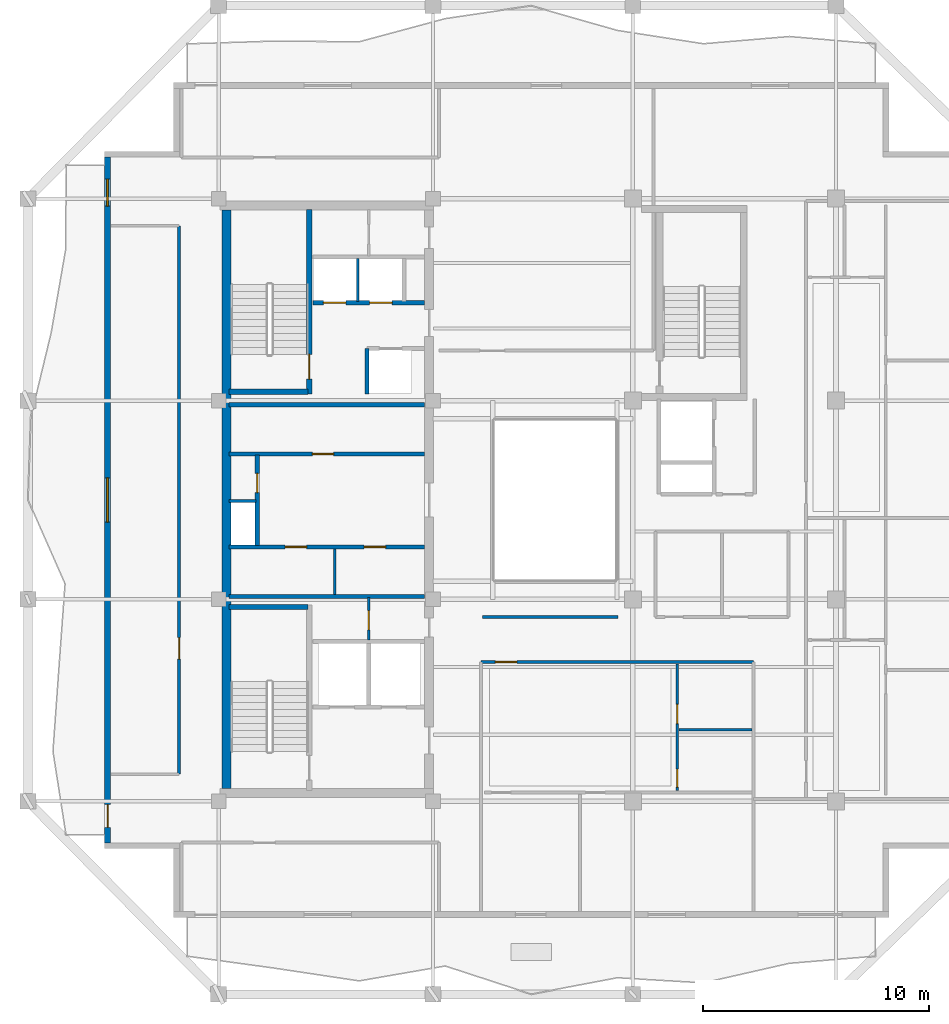
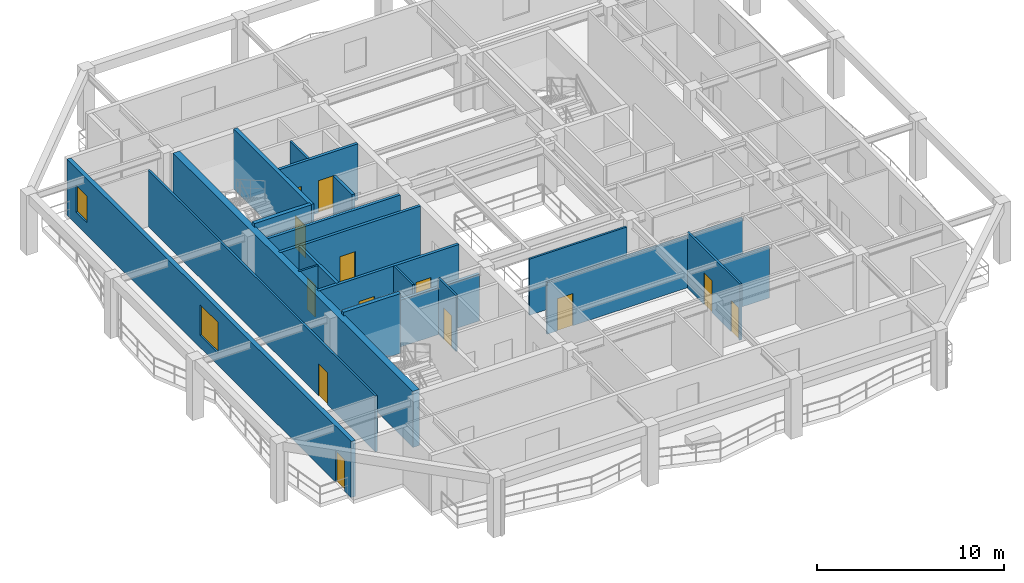
# One storey, part 3 of 10: 21 walls, 13 doors, 2 windows, 15 openings.
"""IFC4 building model written with IfcOpenShell, lengths in metres."""

from ifc_helpers import new_model, si_unit, direction, frame, frame_2d, origin, place, context, subcontext, project, spatial, rectangle, extrude, material, layer, layer_set, type_object, element, fill, save


model = new_model("IFC4")

# Units and contexts
model_context = context("Model", 3, precision=1e-05, world=origin(), true_north=direction((0.0, 1.0)))
body_context = subcontext(model_context, "Body", "Model", "MODEL_VIEW")
ifc_project = project(units=[si_unit("LENGTHUNIT", "METRE"), si_unit("AREAUNIT", "SQUARE_METRE"), si_unit("VOLUMEUNIT", "CUBIC_METRE"), si_unit("PLANEANGLEUNIT", "RADIAN"), si_unit("MASSUNIT", "GRAM", prefix="KILO")], contexts=[model_context])

# Site, building, storey
site_placement = place(None, origin())
site = spatial("IfcSite", under=ifc_project, at=site_placement, CompositionType="ELEMENT")
building_placement = place(site_placement, origin())
building = spatial("IfcBuilding", under=site, at=building_placement, Name="Kundavana Baori Tower", CompositionType="ELEMENT")
storey_placement = place(building_placement, frame((0.0, 0.0, 272.60009765625)))
storey = spatial("IfcBuildingStorey", under=building, at=storey_placement, Name="L67", CompositionType="ELEMENT", Elevation=272.60009765625)

# Walls
ifc_material_1 = material(Name="Concrete C50/60", Category="concrete")
ifc_layer_1 = layer(ifc_material_1, 0.39990234375, Name="WL-CORE-400")
ifc_layer_set_1 = layer_set([ifc_layer_1], Name="Concrete C50/60")
wall_type_1 = type_object("IfcWallType", Name="WL-CORE-400", PredefinedType="SHEAR", material=ifc_layer_set_1)
wall_1_placement = place(storey_placement, frame((15.7900390625, 15.81005859375, 0.0), z_axis=(0.0, 0.0, 1.0), x_axis=(0.0, 1.0, 0.0)))
element("IfcWall", 1, at=wall_1_placement, inside=storey, type_object=wall_type_1, Name="L67 Offset Core West Shear Wall", PredefinedType="SHEAR", context=body_context, shape_type="SweptSolid", body=[
    extrude(rectangle(XDim=25.6298828125, YDim=0.39990234375, at=frame_2d((12.81494140625, 0.0))), origin(), (0.0, 0.0, 1.0), 3.659912109375),
])
wall_2_placement = place(storey_placement, frame((15.89990234375, 23.860107421875, 0.0), z_axis=(0.0, 0.0, 1.0), x_axis=(1.0, 0.0, 0.0)))
element("IfcWall", 2, at=wall_2_placement, inside=storey, type_object=wall_type_1, Name="WL-L67-ST1-N", PredefinedType="SHEAR", context=body_context, shape_type="SweptSolid", body=[
    extrude(rectangle(XDim=3.52001953125, YDim=0.239990234375, at=frame_2d((1.760009765625, 0.0))), origin(), (0.0, 0.0, 1.0), 3.89990234375),
])

# Wall, opening, door
wall_3_placement = place(storey_placement, frame((19.4599609375, 33.300048828125, 0.0), z_axis=(0.0, 0.0, 1.0), x_axis=(0.0, 1.0, 0.0)))
wall_3 = element("IfcWall", 3, at=wall_3_placement, inside=storey, type_object=wall_type_1, Name="WL-L67-ST2-E", PredefinedType="SHEAR", context=body_context, shape_type="SweptSolid", body=[
    extrude(rectangle(XDim=8.179931640625, YDim=0.239990234375, at=frame_2d((4.08984375, 0.0))), origin(), (0.0, 0.0, 1.0), 3.89990234375),
])
opening_1_placement = place(wall_3_placement, frame((0.64990234375, 0.0, 0.0)))
opening_1 = element("IfcOpeningElement", 4, at=opening_1_placement, cuts=wall_3, Name="Opening FD-110", PredefinedType="OPENING", context=body_context, shape_type="SweptSolid", body=[
    extrude(rectangle(XDim=1.10009765625, YDim=2.10009765625, at=frame_2d((0.550048828125, 1.050048828125))), frame((0.0, 0.1298828125, 0.0), z_axis=(0.0, -1.0, 0.0), x_axis=(1.0, 0.0, 0.0)), (0.0, 0.0, 1.0), 0.260009765625),
])
ifc_material_2 = material(Name="Galvanised Steel Fire-Rated Door Leaf", Category="steel")
door_type_1 = type_object("IfcDoorType", Name="DR-FD120-1100", OperationType="NOTDEFINED", PredefinedType="DOOR", material=ifc_material_2)
door_1_placement = place(opening_1_placement, origin())
door_1 = element("IfcDoor", 5, at=door_1_placement, inside=storey, type_object=door_type_1, Name="DR-L67-ST2", OperationType="SINGLE_SWING_RIGHT", OverallHeight=2.10009765625, OverallWidth=1.10009765625, PredefinedType="DOOR", context=body_context, shape_type="SweptSolid", body=[
    extrude(rectangle(XDim=1.10009765625, YDim=2.10009765625, at=frame_2d((0.550048828125, 1.050048828125))), frame((0.0, 0.02490234375, 0.0), z_axis=(0.0, -1.0, 0.0), x_axis=(1.0, 0.0, 0.0)), (0.0, 0.0, 1.0), 0.050048828125),
])
fill(opening_1, door_1)

# Wall
wall_4_placement = place(storey_placement, frame((15.89990234375, 33.389892578125, 0.0), z_axis=(0.0, 0.0, 1.0), x_axis=(1.0, 0.0, 0.0)))
element("IfcWall", 6, at=wall_4_placement, inside=storey, type_object=wall_type_1, Name="WL-L67-ST2-S", PredefinedType="SHEAR", context=body_context, shape_type="SweptSolid", body=[
    extrude(rectangle(XDim=3.52001953125, YDim=0.239990234375, at=frame_2d((1.760009765625, 0.0))), origin(), (0.0, 0.0, 1.0), 3.89990234375),
])

# Wall, openings, door, windows
ifc_material_3 = material(Name="Kiln-Fired Terracotta Brick-Slip Masonry on Concrete C40/50", Category="masonry")
ifc_layer_2 = layer(ifc_material_3, 0.260009765625, Name="WL-EXT-BRK-260")
ifc_layer_set_2 = layer_set([ifc_layer_2], Name="Kiln-Fired Terracotta Brick-Slip Masonry on Concrete C40/50")
wall_type_2 = type_object("IfcWallType", Name="WL-EXT-BRK-260", PredefinedType="SOLIDWALL", material=ifc_layer_set_2)
wall_5_placement = place(storey_placement, frame((10.530029296875, 43.7900390625, 0.0), z_axis=(0.0, 0.0, 1.0), x_axis=(0.0, -1.0, 0.0)))
wall_5 = element("IfcWall", 7, at=wall_5_placement, inside=storey, type_object=wall_type_2, Name="L67 Exterior Insulated Facade Wall 10", PredefinedType="SOLIDWALL", context=body_context, shape_type="SweptSolid", body=[
    extrude(rectangle(XDim=30.380126953125, YDim=0.260009765625, at=frame_2d((15.18994140625, 0.0))), origin(), (0.0, 0.0, 1.0), 3.659912109375),
])
opening_2_placement = place(wall_5_placement, frame((28.68994140625, 0.0, 0.0)))
opening_2 = element("IfcOpeningElement", 8, at=opening_2_placement, cuts=wall_5, Name="Opening BD-1", PredefinedType="OPENING", context=body_context, shape_type="SweptSolid", body=[
    extrude(rectangle(XDim=1.0, YDim=2.050048828125, at=frame_2d((0.5, 1.02490234375))), frame((0.0, 0.14013671875, 0.0), z_axis=(0.0, -1.0, 0.0), x_axis=(1.0, 0.0, 0.0)), (0.0, 0.0, 1.0), 0.280029296875),
])
opening_3_placement = place(wall_5_placement, frame((14.215087890625, 0.0, 0.800048828125)))
opening_3 = element("IfcOpeningElement", 9, at=opening_3_placement, cuts=wall_5, Name="Opening W-09", PredefinedType="OPENING", context=body_context, shape_type="SweptSolid", body=[
    extrude(rectangle(XDim=1.949951171875, YDim=2.0, at=frame_2d((0.97509765625, 1.0))), frame((0.0, 0.14013671875, 0.0), z_axis=(0.0, -1.0, 0.0), x_axis=(1.0, 0.0, 0.0)), (0.0, 0.0, 1.0), 0.280029296875),
])
opening_4_placement = place(wall_5_placement, frame((0.97509765625, 0.0, 0.800048828125)))
opening_4 = element("IfcOpeningElement", 10, at=opening_4_placement, cuts=wall_5, Name="Opening W-03", PredefinedType="OPENING", context=body_context, shape_type="SweptSolid", body=[
    extrude(rectangle(XDim=1.199951171875, YDim=1.75, at=frame_2d((0.60009765625, 0.875))), frame((0.0, 0.14013671875, 0.0), z_axis=(0.0, -1.0, 0.0), x_axis=(1.0, 0.0, 0.0)), (0.0, 0.0, 1.0), 0.280029296875),
])
ifc_material_4 = material(Name="Architectural Patinated Bronze Metalwork")
door_type_2 = type_object("IfcDoorType", Name="DR-EXT-LOG-1000", OperationType="NOTDEFINED", PredefinedType="DOOR", material=ifc_material_4)
door_2_placement = place(opening_2_placement, frame((1.0, 0.0, 0.0), z_axis=(0.0, 0.0, 1.0), x_axis=(-1.0, 0.0, 0.0)))
door_2 = element("IfcDoor", 11, at=door_2_placement, inside=storey, type_object=door_type_2, Name="L67 Loggia Balcony Access Door W", OperationType="SINGLE_SWING_RIGHT", OverallHeight=2.050048828125, OverallWidth=1.0, PredefinedType="DOOR", context=body_context, shape_type="SweptSolid", body=[
    extrude(rectangle(XDim=1.0, YDim=2.050048828125, at=frame_2d((0.5, 1.02490234375))), frame((0.0, 0.02490234375, 0.0), z_axis=(0.0, -1.0, 0.0), x_axis=(1.0, 0.0, 0.0)), (0.0, 0.0, 1.0), 0.050048828125),
])
fill(opening_2, door_2)
ifc_material_5 = material(Name="Double-Glazed Solar-Control Low-E Insulated Glass", Category="glass")
window_type_1 = type_object("IfcWindowType", Name="WIN-LOG-1200x1750", PartitioningType="SINGLE_PANEL", PredefinedType="WINDOW", material=ifc_material_5)
window_1_placement = place(opening_4_placement, origin())
window_1 = element("IfcWindow", 12, at=window_1_placement, inside=storey, type_object=window_type_1, Name="L67 Recessed Loggia Window W-3", OverallHeight=1.75, OverallWidth=1.199951171875, PartitioningType="SINGLE_PANEL", PredefinedType="WINDOW", context=body_context, shape_type="SweptSolid", body=[
    extrude(rectangle(XDim=1.199951171875, YDim=1.75, at=frame_2d((0.60009765625, 0.875))), frame((0.0, 0.030029296875, 0.0), z_axis=(0.0, -1.0, 0.0), x_axis=(1.0, 0.0, 0.0)), (0.0, 0.0, 1.0), 0.06005859375),
])
fill(opening_4, window_1)
ifc_material_6 = material(Name="Double-Glazed Solar-Control Low-E Insulated Glass", Category="glass")
window_type_2 = type_object("IfcWindowType", Name="WIN-LOG-1950x2000", PartitioningType="SINGLE_PANEL", PredefinedType="WINDOW", material=ifc_material_6)
window_2_placement = place(opening_3_placement, origin())
window_2 = element("IfcWindow", 13, at=window_2_placement, inside=storey, type_object=window_type_2, Name="L67 Recessed Loggia Window W-2", OverallHeight=2.0, OverallWidth=1.949951171875, PartitioningType="SINGLE_PANEL", PredefinedType="WINDOW", context=body_context, shape_type="SweptSolid", body=[
    extrude(rectangle(XDim=1.949951171875, YDim=2.0, at=frame_2d((0.97509765625, 1.0))), frame((0.0, 0.030029296875, 0.0), z_axis=(0.0, -1.0, 0.0), x_axis=(1.0, 0.0, 0.0)), (0.0, 0.0, 1.0), 0.06005859375),
])
fill(opening_3, window_2)

# Wall, opening, door
ifc_material_7 = material(Name="Acoustic Gypsum Plasterboard on Galvanised Steel Studs", Category="steel")
ifc_layer_3 = layer(ifc_material_7, 0.1201171875, Name="WL-PART-120")
ifc_layer_set_3 = layer_set([ifc_layer_3], Name="Acoustic Gypsum Plasterboard on Galvanised Steel Studs")
wall_type_3 = type_object("IfcWallType", Name="WL-PART-120", PredefinedType="PARTITIONING", material=ifc_layer_set_3)
wall_6_placement = place(storey_placement, frame((22.10009765625, 22.39990234375, 0.0), z_axis=(0.0, 0.0, 1.0), x_axis=(0.0, 1.0, 0.0)))
wall_6 = element("IfcWall", 14, at=wall_6_placement, inside=storey, type_object=wall_type_3, Name="WL-L67-CSMK-D1", PredefinedType="PARTITIONING", context=body_context, shape_type="SweptSolid", body=[
    extrude(rectangle(XDim=1.880126953125, YDim=0.1201171875, at=frame_2d((0.93994140625, 0.0))), origin(), (0.0, 0.0, 1.0), 3.659912109375),
])
opening_5_placement = place(wall_6_placement, frame((0.449951171875, 0.0, 0.0)))
opening_5 = element("IfcOpeningElement", 15, at=opening_5_placement, cuts=wall_6, Name="Opening FD-085", PredefinedType="OPENING", context=body_context, shape_type="SweptSolid", body=[
    extrude(rectangle(XDim=0.85009765625, YDim=2.06005859375, at=frame_2d((0.425048828125, 1.030029296875))), frame((0.0, 0.070068359375, 0.0), z_axis=(0.0, -1.0, 0.0), x_axis=(1.0, 0.0, 0.0)), (0.0, 0.0, 1.0), 0.14013671875),
])
ifc_material_8 = material(Name="Galvanised Steel Fire-Rated Door Leaf", Category="steel")
door_type_3 = type_object("IfcDoorType", Name="DR-FD60-850", OperationType="NOTDEFINED", PredefinedType="DOOR", material=ifc_material_8)
door_3_placement = place(opening_5_placement, origin())
door_3 = element("IfcDoor", 16, at=door_3_placement, inside=storey, type_object=door_type_3, Name="DR-L67-CSMK1", OperationType="SINGLE_SWING_LEFT", OverallHeight=2.06005859375, OverallWidth=0.85009765625, PredefinedType="DOOR", context=body_context, shape_type="SweptSolid", body=[
    extrude(rectangle(XDim=0.85009765625, YDim=2.06005859375, at=frame_2d((0.425048828125, 1.030029296875))), frame((0.0, 0.02490234375, 0.0), z_axis=(0.0, -1.0, 0.0), x_axis=(1.0, 0.0, 0.0)), (0.0, 0.0, 1.0), 0.050048828125),
])
fill(opening_5, door_3)

# Walls
wall_7_placement = place(storey_placement, frame((20.60009765625, 24.419921875, 0.0), z_axis=(0.0, 0.0, 1.0), x_axis=(0.0, 1.0, 0.0)))
element("IfcWall", 17, at=wall_7_placement, inside=storey, type_object=wall_type_3, Name="WL-L67-FRLOW-DIV", PredefinedType="PARTITIONING", context=body_context, shape_type="SweptSolid", body=[
    extrude(rectangle(XDim=2.02001953125, YDim=0.1201171875, at=frame_2d((1.010009765625, 0.0))), origin(), (0.0, 0.0, 1.0), 3.659912109375),
])
wall_8_placement = place(storey_placement, frame((15.89990234375, 28.56005859375, 0.0), z_axis=(0.0, 0.0, 1.0), x_axis=(1.0, 0.0, 0.0)))
element("IfcWall", 18, at=wall_8_placement, inside=storey, type_object=wall_type_3, Name="WL-L67-RSRW-N", PredefinedType="PARTITIONING", context=body_context, shape_type="SweptSolid", body=[
    extrude(rectangle(XDim=1.2001953125, YDim=0.1201171875, at=frame_2d((0.60009765625, 0.0))), origin(), (0.0, 0.0, 1.0), 3.659912109375),
])
wall_9_placement = place(storey_placement, frame((21.6201171875, 37.39990234375, 0.0), z_axis=(0.0, 0.0, 1.0), x_axis=(0.0, 1.0, 0.0)))
element("IfcWall", 19, at=wall_9_placement, inside=storey, type_object=wall_type_3, Name="WL-L67-HR-DIV1", PredefinedType="PARTITIONING", context=body_context, shape_type="SweptSolid", body=[
    extrude(rectangle(XDim=1.900146484375, YDim=0.1201171875, at=frame_2d((0.9501953125, 0.0))), origin(), (0.0, 0.0, 1.0), 3.659912109375),
])

# Wall, openings, doors
ifc_material_9 = material(Name="Autoclaved Aerated Concrete Blockwork Masonry", Category="masonry")
ifc_layer_4 = layer(ifc_material_9, 0.179931640625, Name="WL-SHAFT-180")
ifc_layer_set_4 = layer_set([ifc_layer_4], Name="Autoclaved Aerated Concrete Blockwork Masonry")
wall_type_4 = type_object("IfcWallType", Name="WL-SHAFT-180", PredefinedType="SOLIDWALL", material=ifc_layer_set_4)
wall_10_placement = place(storey_placement, frame((15.89990234375, 26.52001953125, 0.0), z_axis=(0.0, 0.0, 1.0), x_axis=(1.0, 0.0, 0.0)))
wall_10 = element("IfcWall", 20, at=wall_10_placement, inside=storey, type_object=wall_type_4, Name="WL-L67-LPLOW-N", PredefinedType="SOLIDWALL", context=body_context, shape_type="SweptSolid", body=[
    extrude(rectangle(XDim=8.68017578125, YDim=0.179931640625, at=frame_2d((4.340087890625, 0.0))), origin(), (0.0, 0.0, 1.0), 3.659912109375),
])
opening_6_placement = place(wall_10_placement, frame((2.5, 0.0, 0.0)))
opening_6 = element("IfcOpeningElement", 21, at=opening_6_placement, cuts=wall_10, Name="Opening FD-095", PredefinedType="OPENING", context=body_context, shape_type="SweptSolid", body=[
    extrude(rectangle(XDim=0.949951171875, YDim=2.10009765625, at=frame_2d((0.47509765625, 1.050048828125))), frame((0.0, 0.10009765625, 0.0), z_axis=(0.0, -1.0, 0.0), x_axis=(1.0, 0.0, 0.0)), (0.0, 0.0, 1.0), 0.199951171875),
])
opening_7_placement = place(wall_10_placement, frame((6.0, 0.0, 0.0)))
opening_7 = element("IfcOpeningElement", 22, at=opening_7_placement, cuts=wall_10, Name="Opening FD-095", PredefinedType="OPENING", context=body_context, shape_type="SweptSolid", body=[
    extrude(rectangle(XDim=0.949951171875, YDim=2.10009765625, at=frame_2d((0.47509765625, 1.050048828125))), frame((0.0, 0.10009765625, 0.0), z_axis=(0.0, -1.0, 0.0), x_axis=(1.0, 0.0, 0.0)), (0.0, 0.0, 1.0), 0.199951171875),
])
ifc_material_10 = material(Name="Engineered Teak Fire-Rated Timber Door Leaf", Category="wood")
door_type_4 = type_object("IfcDoorType", Name="DR-FD60-950", OperationType="NOTDEFINED", PredefinedType="DOOR", material=ifc_material_10)
door_4_placement = place(opening_6_placement, origin())
door_4 = element("IfcDoor", 23, at=door_4_placement, inside=storey, type_object=door_type_4, Name="DR-L67-FRLOW1", OperationType="SINGLE_SWING_LEFT", OverallHeight=2.10009765625, OverallWidth=0.949951171875, PredefinedType="DOOR", context=body_context, shape_type="SweptSolid", body=[
    extrude(rectangle(XDim=0.949951171875, YDim=2.10009765625, at=frame_2d((0.47509765625, 1.050048828125))), frame((0.0, 0.02490234375, 0.0), z_axis=(0.0, -1.0, 0.0), x_axis=(1.0, 0.0, 0.0)), (0.0, 0.0, 1.0), 0.050048828125),
])
fill(opening_6, door_4)
door_5_placement = place(opening_7_placement, origin())
door_5 = element("IfcDoor", 24, at=door_5_placement, inside=storey, type_object=door_type_4, Name="DR-L67-FRLOW2", OperationType="SINGLE_SWING_RIGHT", OverallHeight=2.10009765625, OverallWidth=0.949951171875, PredefinedType="DOOR", context=body_context, shape_type="SweptSolid", body=[
    extrude(rectangle(XDim=0.949951171875, YDim=2.10009765625, at=frame_2d((0.47509765625, 1.050048828125))), frame((0.0, 0.02490234375, 0.0), z_axis=(0.0, -1.0, 0.0), x_axis=(1.0, 0.0, 0.0)), (0.0, 0.0, 1.0), 0.050048828125),
])
fill(opening_7, door_5)

# Wall
wall_11_placement = place(storey_placement, frame((15.89990234375, 24.330078125, 0.0), z_axis=(0.0, 0.0, 1.0), x_axis=(1.0, 0.0, 0.0)))
element("IfcWall", 25, at=wall_11_placement, inside=storey, type_object=wall_type_4, Name="WL-L67-LPLOW-S", PredefinedType="SOLIDWALL", context=body_context, shape_type="SweptSolid", body=[
    extrude(rectangle(XDim=8.68017578125, YDim=0.179931640625, at=frame_2d((4.340087890625, 0.0))), origin(), (0.0, 0.0, 1.0), 3.059814453125),
])

# Wall, opening, door
wall_12_placement = place(storey_placement, frame((17.159912109375, 26.580078125, 0.0), z_axis=(0.0, 0.0, 1.0), x_axis=(0.0, 1.0, 0.0)))
wall_12 = element("IfcWall", 26, at=wall_12_placement, inside=storey, type_object=wall_type_4, Name="WL-L67-RSRW-E", PredefinedType="SOLIDWALL", context=body_context, shape_type="SweptSolid", body=[
    extrude(rectangle(XDim=4.02001953125, YDim=0.179931640625, at=frame_2d((2.010009765625, 0.0))), origin(), (0.0, 0.0, 1.0), 3.659912109375),
])
opening_8_placement = place(wall_12_placement, frame((2.35009765625, 0.0, 0.0)))
opening_8 = element("IfcOpeningElement", 27, at=opening_8_placement, cuts=wall_12, Name="Opening FD-085", PredefinedType="OPENING", context=body_context, shape_type="SweptSolid", body=[
    extrude(rectangle(XDim=0.85009765625, YDim=2.06005859375, at=frame_2d((0.425048828125, 1.030029296875))), frame((0.0, 0.10009765625, 0.0), z_axis=(0.0, -1.0, 0.0), x_axis=(1.0, 0.0, 0.0)), (0.0, 0.0, 1.0), 0.199951171875),
])
door_6_placement = place(opening_8_placement, origin())
door_6 = element("IfcDoor", 28, at=door_6_placement, inside=storey, type_object=door_type_3, Name="DR-L67-CLN", OperationType="SINGLE_SWING_RIGHT", OverallHeight=2.06005859375, OverallWidth=0.85009765625, PredefinedType="DOOR", context=body_context, shape_type="SweptSolid", body=[
    extrude(rectangle(XDim=0.85009765625, YDim=2.06005859375, at=frame_2d((0.425048828125, 1.030029296875))), frame((0.0, 0.02490234375, 0.0), z_axis=(0.0, -1.0, 0.0), x_axis=(1.0, 0.0, 0.0)), (0.0, 0.0, 1.0), 0.050048828125),
])
fill(opening_8, door_6)

wall_13_placement = place(storey_placement, frame((15.89990234375, 30.639892578125, 0.0), z_axis=(0.0, 0.0, 1.0), x_axis=(1.0, 0.0, 0.0)))
wall_13 = element("IfcWall", 29, at=wall_13_placement, inside=storey, type_object=wall_type_4, Name="WL-L67-LPMID-S", PredefinedType="SOLIDWALL", context=body_context, shape_type="SweptSolid", body=[
    extrude(rectangle(XDim=8.68017578125, YDim=0.179931640625, at=frame_2d((4.340087890625, 0.0))), origin(), (0.0, 0.0, 1.0), 3.659912109375),
])
opening_9_placement = place(wall_13_placement, frame((3.699951171875, 0.0, 0.0)))
opening_9 = element("IfcOpeningElement", 30, at=opening_9_placement, cuts=wall_13, Name="Opening FD-095", PredefinedType="OPENING", context=body_context, shape_type="SweptSolid", body=[
    extrude(rectangle(XDim=0.949951171875, YDim=2.10009765625, at=frame_2d((0.47509765625, 1.050048828125))), frame((0.0, 0.10009765625, 0.0), z_axis=(0.0, -1.0, 0.0), x_axis=(1.0, 0.0, 0.0)), (0.0, 0.0, 1.0), 0.199951171875),
])
door_7_placement = place(opening_9_placement, frame((0.949951171875, 0.0, 0.0), z_axis=(0.0, 0.0, 1.0), x_axis=(-1.0, 0.0, 0.0)))
door_7 = element("IfcDoor", 31, at=door_7_placement, inside=storey, type_object=door_type_4, Name="DR-L67-FRMID1", OperationType="SINGLE_SWING_RIGHT", OverallHeight=2.10009765625, OverallWidth=0.949951171875, PredefinedType="DOOR", context=body_context, shape_type="SweptSolid", body=[
    extrude(rectangle(XDim=0.949951171875, YDim=2.10009765625, at=frame_2d((0.47509765625, 1.050048828125))), frame((0.0, 0.02490234375, 0.0), z_axis=(0.0, -1.0, 0.0), x_axis=(1.0, 0.0, 0.0)), (0.0, 0.0, 1.0), 0.050048828125),
])
fill(opening_9, door_7)

# Walls
wall_14_placement = place(storey_placement, frame((15.89990234375, 32.820068359375, 0.0), z_axis=(0.0, 0.0, 1.0), x_axis=(1.0, 0.0, 0.0)))
element("IfcWall", 32, at=wall_14_placement, inside=storey, type_object=wall_type_4, Name="WL-L67-LPMID-N", PredefinedType="SOLIDWALL", context=body_context, shape_type="SweptSolid", body=[
    extrude(rectangle(XDim=8.68017578125, YDim=0.179931640625, at=frame_2d((4.340087890625, 0.0))), origin(), (0.0, 0.0, 1.0), 3.059814453125),
])
wall_15_placement = place(storey_placement, frame((22.02001953125, 33.300048828125, 0.0), z_axis=(0.0, 0.0, 1.0), x_axis=(0.0, 1.0, 0.0)))
element("IfcWall", 33, at=wall_15_placement, inside=storey, type_object=wall_type_4, Name="WL-L67-LP11-W", PredefinedType="SOLIDWALL", context=body_context, shape_type="SweptSolid", body=[
    extrude(rectangle(XDim=2.010009765625, YDim=0.179931640625, at=frame_2d((1.0048828125, 0.0))), origin(), (0.0, 0.0, 1.0), 3.659912109375),
])

# Wall, openings, doors
wall_16_placement = place(storey_placement, frame((19.639892578125, 37.340087890625, 0.0), z_axis=(0.0, 0.0, 1.0), x_axis=(1.0, 0.0, 0.0)))
wall_16 = element("IfcWall", 34, at=wall_16_placement, inside=storey, type_object=wall_type_4, Name="WL-L67-HRLOB-N", PredefinedType="SOLIDWALL", context=body_context, shape_type="SweptSolid", body=[
    extrude(rectangle(XDim=4.940185546875, YDim=0.179931640625, at=frame_2d((2.47021484375, 0.0))), origin(), (0.0, 0.0, 1.0), 3.659912109375),
])
opening_10_placement = place(wall_16_placement, frame((0.449951171875, 0.0, 0.0)))
opening_10 = element("IfcOpeningElement", 35, at=opening_10_placement, cuts=wall_16, Name="Opening LD-100", PredefinedType="OPENING", context=body_context, shape_type="SweptSolid", body=[
    extrude(rectangle(XDim=1.0, YDim=2.10009765625, at=frame_2d((0.5, 1.050048828125))), frame((0.0, 0.10009765625, 0.0), z_axis=(0.0, -1.0, 0.0), x_axis=(1.0, 0.0, 0.0)), (0.0, 0.0, 1.0), 0.199951171875),
])
opening_11_placement = place(wall_16_placement, frame((2.5, 0.0, 0.0)))
opening_11 = element("IfcOpeningElement", 36, at=opening_11_placement, cuts=wall_16, Name="Opening LD-100", PredefinedType="OPENING", context=body_context, shape_type="SweptSolid", body=[
    extrude(rectangle(XDim=1.0, YDim=2.10009765625, at=frame_2d((0.5, 1.050048828125))), frame((0.0, 0.10009765625, 0.0), z_axis=(0.0, -1.0, 0.0), x_axis=(1.0, 0.0, 0.0)), (0.0, 0.0, 1.0), 0.199951171875),
])
ifc_material_11 = material(Name="Galvanised Steel Fire-Rated Door Leaf", Category="steel")
door_type_5 = type_object("IfcDoorType", Name="DR-SLIDE-LD1000", OperationType="NOTDEFINED", PredefinedType="DOOR", material=ifc_material_11)
door_8_placement = place(opening_10_placement, frame((1.0, 0.0, 0.0), z_axis=(0.0, 0.0, 1.0), x_axis=(-1.0, 0.0, 0.0)))
door_8 = element("IfcDoor", 37, at=door_8_placement, inside=storey, type_object=door_type_5, Name="DR-L67-LD-LP09", OperationType="DOUBLE_DOOR_SLIDING", OverallHeight=2.10009765625, OverallWidth=1.0, PredefinedType="DOOR", context=body_context, shape_type="SweptSolid", body=[
    extrude(rectangle(XDim=1.0, YDim=2.10009765625, at=frame_2d((0.5, 1.050048828125))), frame((0.0, 0.02490234375, 0.0), z_axis=(0.0, -1.0, 0.0), x_axis=(1.0, 0.0, 0.0)), (0.0, 0.0, 1.0), 0.050048828125),
])
fill(opening_10, door_8)
door_9_placement = place(opening_11_placement, frame((1.0, 0.0, 0.0), z_axis=(0.0, 0.0, 1.0), x_axis=(-1.0, 0.0, 0.0)))
door_9 = element("IfcDoor", 38, at=door_9_placement, inside=storey, type_object=door_type_5, Name="DR-L67-LD-LP10", OperationType="DOUBLE_DOOR_SLIDING", OverallHeight=2.10009765625, OverallWidth=1.0, PredefinedType="DOOR", context=body_context, shape_type="SweptSolid", body=[
    extrude(rectangle(XDim=1.0, YDim=2.10009765625, at=frame_2d((0.5, 1.050048828125))), frame((0.0, 0.02490234375, 0.0), z_axis=(0.0, -1.0, 0.0), x_axis=(1.0, 0.0, 0.0)), (0.0, 0.0, 1.0), 0.050048828125),
])
fill(opening_11, door_9)

# Wall, opening, door
ifc_material_12 = material(Name="Autoclaved Aerated Concrete Blockwork Masonry", Category="masonry")
ifc_layer_5 = layer(ifc_material_12, 0.125, Name="WL-WET-120")
ifc_layer_set_5 = layer_set([ifc_layer_5], Name="Autoclaved Aerated Concrete Blockwork Masonry")
wall_type_5 = type_object("IfcWallType", Name="WL-WET-120", PredefinedType="PLUMBINGWALL", material=ifc_layer_set_5)
wall_17_placement = place(storey_placement, frame((27.080078125, 21.419921875, 0.0), z_axis=(0.0, 0.0, 1.0), x_axis=(1.0, 0.0, 0.0)))
wall_17 = element("IfcWall", 39, at=wall_17_placement, inside=storey, type_object=wall_type_5, Name="WL-L67-RS", PredefinedType="PLUMBINGWALL", context=body_context, shape_type="SweptSolid", body=[
    extrude(rectangle(XDim=12.06982421875, YDim=0.125, at=frame_2d((6.034912109375, 0.0))), origin(), (0.0, 0.0, 1.0), 3.35986328125),
])
opening_12_placement = place(wall_17_placement, frame((0.6298828125, 0.0, 0.0)))
opening_12 = element("IfcOpeningElement", 40, at=opening_12_placement, cuts=wall_17, Name="Opening FD-095", PredefinedType="OPENING", context=body_context, shape_type="SweptSolid", body=[
    extrude(rectangle(XDim=0.949951171875, YDim=2.10009765625, at=frame_2d((0.47509765625, 1.050048828125))), frame((0.0, 0.072509765625, 0.0), z_axis=(0.0, -1.0, 0.0), x_axis=(1.0, 0.0, 0.0)), (0.0, 0.0, 1.0), 0.14501953125),
])
door_10_placement = place(opening_12_placement, frame((0.949951171875, 0.0, 0.0), z_axis=(0.0, 0.0, 1.0), x_axis=(-1.0, 0.0, 0.0)))
door_10 = element("IfcDoor", 41, at=door_10_placement, inside=storey, type_object=door_type_4, Name="DR-L67-S1-ENT", OperationType="SINGLE_SWING_RIGHT", OverallHeight=2.10009765625, OverallWidth=0.949951171875, PredefinedType="DOOR", context=body_context, shape_type="SweptSolid", body=[
    extrude(rectangle(XDim=0.949951171875, YDim=2.10009765625, at=frame_2d((0.47509765625, 1.050048828125))), frame((0.0, 0.02490234375, 0.0), z_axis=(0.0, -1.0, 0.0), x_axis=(1.0, 0.0, 0.0)), (0.0, 0.0, 1.0), 0.050048828125),
])
fill(opening_12, door_10)

# Wall
wall_18_placement = place(storey_placement, frame((27.14990234375, 23.419921875, 0.0), z_axis=(0.0, 0.0, 1.0), x_axis=(1.0, 0.0, 0.0)))
element("IfcWall", 42, at=wall_18_placement, inside=storey, type_object=wall_type_5, Name="WL-L67-RST", PredefinedType="PLUMBINGWALL", context=body_context, shape_type="SweptSolid", body=[
    extrude(rectangle(XDim=6.0, YDim=0.125, at=frame_2d((3.0, 0.0))), origin(), (0.0, 0.0, 1.0), 3.659912109375),
])

# Wall, opening, door
wall_19_placement = place(storey_placement, frame((13.699951171875, 16.449951171875, 0.0), z_axis=(0.0, 0.0, 1.0), x_axis=(0.0, 1.0, 0.0)))
wall_19 = element("IfcWall", 43, at=wall_19_placement, inside=storey, type_object=wall_type_5, Name="WL-L67-RW", PredefinedType="PLUMBINGWALL", context=body_context, shape_type="SweptSolid", body=[
    extrude(rectangle(XDim=24.300048828125, YDim=0.125, at=frame_2d((12.14990234375, 0.0))), origin(), (0.0, 0.0, 1.0), 3.659912109375),
])
opening_13_placement = place(wall_19_placement, frame((5.10009765625, 0.0, 0.0)))
opening_13 = element("IfcOpeningElement", 44, at=opening_13_placement, cuts=wall_19, Name="Opening ID-095", PredefinedType="OPENING", context=body_context, shape_type="SweptSolid", body=[
    extrude(rectangle(XDim=0.949951171875, YDim=2.080078125, at=frame_2d((0.47509765625, 1.0400390625))), frame((0.0, 0.072509765625, 0.0), z_axis=(0.0, -1.0, 0.0), x_axis=(1.0, 0.0, 0.0)), (0.0, 0.0, 1.0), 0.14501953125),
])
ifc_material_13 = material(Name="Engineered Teak Solid-Core Timber Veneer", Category="wood")
door_type_6 = type_object("IfcDoorType", Name="DR-INT-950", OperationType="NOTDEFINED", PredefinedType="DOOR", material=ifc_material_13)
door_11_placement = place(opening_13_placement, origin())
door_11 = element("IfcDoor", 45, at=door_11_placement, inside=storey, type_object=door_type_6, Name="DR-L67-RLNGW", OperationType="SINGLE_SWING_LEFT", OverallHeight=2.080078125, OverallWidth=0.949951171875, PredefinedType="DOOR", context=body_context, shape_type="SweptSolid", body=[
    extrude(rectangle(XDim=0.949951171875, YDim=2.080078125, at=frame_2d((0.47509765625, 1.0400390625))), frame((0.0, 0.02490234375, 0.0), z_axis=(0.0, -1.0, 0.0), x_axis=(1.0, 0.0, 0.0)), (0.0, 0.0, 1.0), 0.050048828125),
])
fill(opening_13, door_11)

# Wall, openings, doors
wall_20_placement = place(storey_placement, frame((35.77001953125, 15.720947265625, 0.0), z_axis=(0.0, 0.0, 1.0), x_axis=(0.0, 1.0, 0.0)))
wall_20 = element("IfcWall", 46, at=wall_20_placement, inside=storey, type_object=wall_type_5, Name="WL-L67-S1-KT", PredefinedType="PLUMBINGWALL", context=body_context, shape_type="SweptSolid", body=[
    extrude(rectangle(XDim=5.619140625, YDim=0.125, at=frame_2d((2.8095703125, 0.0))), origin(), (0.0, 0.0, 1.0), 3.659912109375),
])
opening_14_placement = place(wall_20_placement, frame((0.159912109375, 0.0, 0.0)))
opening_14 = element("IfcOpeningElement", 47, at=opening_14_placement, cuts=wall_20, Name="Opening WD-080", PredefinedType="OPENING", context=body_context, shape_type="SweptSolid", body=[
    extrude(rectangle(XDim=0.800048828125, YDim=2.050048828125, at=frame_2d((0.39990234375, 1.02490234375))), frame((0.0, 0.072509765625, 0.0), z_axis=(0.0, -1.0, 0.0), x_axis=(1.0, 0.0, 0.0)), (0.0, 0.0, 1.0), 0.14501953125),
])
opening_15_placement = place(wall_20_placement, frame((2.97705078125, 0.0, 0.0)))
opening_15 = element("IfcOpeningElement", 48, at=opening_15_placement, cuts=wall_20, Name="Opening ID-085", PredefinedType="OPENING", context=body_context, shape_type="SweptSolid", body=[
    extrude(rectangle(XDim=0.85009765625, YDim=2.080078125, at=frame_2d((0.425048828125, 1.0400390625))), frame((0.0, 0.072509765625, 0.0), z_axis=(0.0, -1.0, 0.0), x_axis=(1.0, 0.0, 0.0)), (0.0, 0.0, 1.0), 0.14501953125),
])
ifc_material_14 = material(Name="Engineered Teak Solid-Core Timber Veneer", Category="wood")
door_type_7 = type_object("IfcDoorType", Name="DR-INT-850", OperationType="NOTDEFINED", PredefinedType="DOOR", material=ifc_material_14)
door_12_placement = place(opening_15_placement, origin())
door_12 = element("IfcDoor", 49, at=door_12_placement, inside=storey, type_object=door_type_7, Name="DR-L67-S1-KT", OperationType="SINGLE_SWING_RIGHT", OverallHeight=2.080078125, OverallWidth=0.85009765625, PredefinedType="DOOR", context=body_context, shape_type="SweptSolid", body=[
    extrude(rectangle(XDim=0.85009765625, YDim=2.080078125, at=frame_2d((0.425048828125, 1.0400390625))), frame((0.0, 0.02490234375, 0.0), z_axis=(0.0, -1.0, 0.0), x_axis=(1.0, 0.0, 0.0)), (0.0, 0.0, 1.0), 0.050048828125),
])
fill(opening_15, door_12)
ifc_material_15 = material(Name="Engineered Teak Solid-Core Timber Veneer", Category="wood")
door_type_8 = type_object("IfcDoorType", Name="DR-WET-800", OperationType="NOTDEFINED", PredefinedType="DOOR", material=ifc_material_15)
door_13_placement = place(opening_14_placement, origin())
door_13 = element("IfcDoor", 50, at=door_13_placement, inside=storey, type_object=door_type_8, Name="DR-L67-S1-BT", OperationType="SINGLE_SWING_LEFT", OverallHeight=2.050048828125, OverallWidth=0.800048828125, PredefinedType="DOOR", context=body_context, shape_type="SweptSolid", body=[
    extrude(rectangle(XDim=0.800048828125, YDim=2.050048828125, at=frame_2d((0.39990234375, 1.02490234375))), frame((0.0, 0.02490234375, 0.0), z_axis=(0.0, -1.0, 0.0), x_axis=(1.0, 0.0, 0.0)), (0.0, 0.0, 1.0), 0.050048828125),
])
fill(opening_14, door_13)

# Wall
wall_21_placement = place(storey_placement, frame((35.85009765625, 18.41796875, 0.0), z_axis=(0.0, 0.0, 1.0), x_axis=(1.0, 0.0, 0.0)))
element("IfcWall", 51, at=wall_21_placement, inside=storey, type_object=wall_type_5, Name="WL-L67-S1-BT", PredefinedType="PLUMBINGWALL", context=body_context, shape_type="SweptSolid", body=[
    extrude(rectangle(XDim=3.219970703125, YDim=0.125, at=frame_2d((1.60986328125, 0.0))), origin(), (0.0, 0.0, 1.0), 3.35986328125),
])

save(model, "model.ifc")
